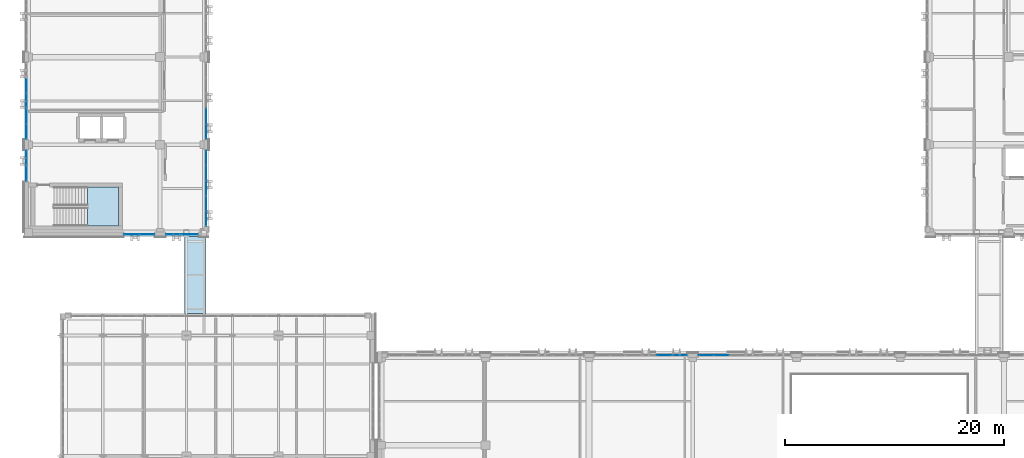
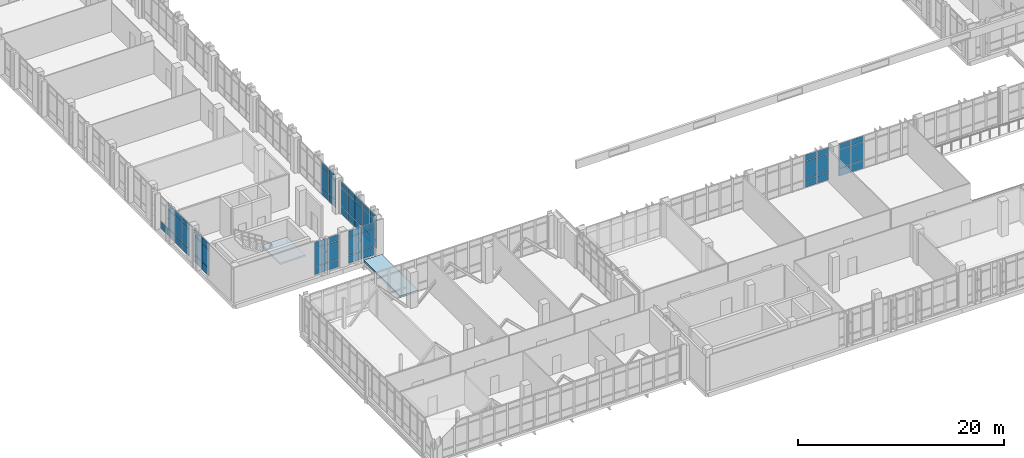
# One storey, part 114 of 158: 61 plates, 2 slabs, 9 elements without a shape of their own.
"""IFC4 building model written with IfcOpenShell, lengths in metres."""

import ifcopenshell
import ifcopenshell.guid

model = None  # the IFC model being written
_history = None  # IfcOwnerHistory: only IFC2X3 demands one
_inside = {}  # id of a spatial element -> (the spatial element, [elements in it])
_under = {}  # id of a project, library or spatial element -> (it, [spatial elements below it])
_declared = {}  # id of a project -> (the project, [libraries it declares])
_typed = {}  # id of a type object -> (the type object, [elements of that type])
_made_of = {}  # id of a material, layer set ... -> (it, [elements and type objects made of it])


def new_model(schema):
    """Start an empty IFC model of exactly this schema.

    Asked for "IFC4X3", IfcOpenShell would pick the latest addendum, in which some entities
    have other attributes; the version numbers below select the first issue.
    IFC2X3 requires an IfcOwnerHistory on every rooted entity: one is made here for all.
    """
    global model, _history
    if schema == "IFC4X3":
        model = ifcopenshell.file(schema_version=(4, 3, 0, 0))
    else:
        model = ifcopenshell.file(schema=schema)
    _inside.clear()
    _under.clear()
    _declared.clear()
    _typed.clear()
    _made_of.clear()
    _history = None
    if model.schema == "IFC2X3":
        org = make("IfcOrganization", Name="unknown")
        user = make(
            "IfcPersonAndOrganization",
            ThePerson=make("IfcPerson", FamilyName="unknown"),
            TheOrganization=org,
        )
        app = make(
            "IfcApplication",
            ApplicationDeveloper=org,
            Version="unknown",
            ApplicationFullName="unknown",
            ApplicationIdentifier="unknown",
        )
        _history = make(
            "IfcOwnerHistory",
            OwningUser=user,
            OwningApplication=app,
            ChangeAction="ADDED",
            CreationDate=0,
        )
    return model


def make(cls, **values):
    """One entity of the class cls with the attributes given. An attribute that is None is left unset."""
    return model.create_entity(
        cls, **{name: value for name, value in values.items() if value is not None}
    )


def rooted(cls, **values):
    """An entity with a GlobalId (a new one), such as an element, a storey or a relation."""
    return make(cls, GlobalId=ifcopenshell.guid.new(), OwnerHistory=_history, **values)


def si_unit(unit_type, name, prefix=None):
    """IfcSIUnit, for example si_unit("LENGTHUNIT", "METRE", prefix="MILLI")."""
    return make("IfcSIUnit", UnitType=unit_type, Prefix=prefix, Name=name)


def assignment(units):
    """IfcUnitAssignment: the units of a project."""
    return None if units is None else make("IfcUnitAssignment", Units=units)


def point(xyz):
    """IfcCartesianPoint."""
    return None if xyz is None else make("IfcCartesianPoint", Coordinates=xyz)


def direction(xyz):
    """IfcDirection."""
    return None if xyz is None else make("IfcDirection", DirectionRatios=xyz)


def frame(location, z_axis=None, x_axis=None):
    """IfcAxis2Placement3D, a coordinate frame: its origin and axes. An axis left out is left unset."""
    return make(
        "IfcAxis2Placement3D",
        Location=point(location),
        Axis=direction(z_axis),
        RefDirection=direction(x_axis),
    )


def frame_2d(location, x_axis=None):
    """IfcAxis2Placement2D, a coordinate frame in the plane: its origin and x axis."""
    return make(
        "IfcAxis2Placement2D", Location=point(location), RefDirection=direction(x_axis)
    )


def origin():
    """The frame at (0, 0, 0) with its axes left unset."""
    return frame((0.0, 0.0, 0.0))


def origin_2d():
    """The frame at (0, 0) in the plane with its x axis left unset."""
    return frame_2d((0.0, 0.0))


def place(relative_to, where):
    """IfcLocalPlacement: puts the frame where relative to a parent placement (None: the world)."""
    return make(
        "IfcLocalPlacement", PlacementRelTo=relative_to, RelativePlacement=where
    )


def context(
    kind, dimensions, precision=None, world=None, true_north=None, identifier=None
):
    """IfcGeometricRepresentationContext, for example the 3D "Model" context."""
    return make(
        "IfcGeometricRepresentationContext",
        ContextIdentifier=identifier,
        ContextType=kind,
        CoordinateSpaceDimension=dimensions,
        Precision=precision,
        WorldCoordinateSystem=world,
        TrueNorth=true_north,
    )


def subcontext(parent, identifier, kind, view, scale=None):
    """IfcGeometricRepresentationSubContext, for example "Body" below "Model"."""
    return make(
        "IfcGeometricRepresentationSubContext",
        ContextIdentifier=identifier,
        ContextType=kind,
        ParentContext=parent,
        TargetScale=scale,
        TargetView=view,
    )


def project(units=None, contexts=None):
    """IfcProject with its units and contexts."""
    return rooted(
        "IfcProject",
        Name="project",
        RepresentationContexts=contexts,
        UnitsInContext=assignment(units),
    )


def spatial(cls, under=None, at=None, **own):
    """A site, building, storey or space (cls), placed at a placement, below another one or the project."""
    s = rooted(cls, ObjectPlacement=at, **own)
    if under is not None:
        _under.setdefault(under.id(), (under, []))[1].append(s)
    return s


def polyline(points):
    """IfcPolyline through the points."""
    return make("IfcPolyline", Points=[point(p) for p in points])


def profile(cls, at=None, kind="AREA", **sizes):
    """A parametric profile (cls). Its sizes go by their IFC names, for example OverallWidth=200.0."""
    return make(cls, ProfileType=kind, Position=at, **sizes)


def rectangle(**sizes):
    """IfcRectangleProfileDef."""
    return profile("IfcRectangleProfileDef", **sizes)


def outline(outer, holes=None, kind="AREA"):
    """IfcArbitraryClosedProfileDef: a profile drawn as a closed curve; with holes, ...WithVoids."""
    if holes is None:
        return make("IfcArbitraryClosedProfileDef", ProfileType=kind, OuterCurve=outer)
    return make(
        "IfcArbitraryProfileDefWithVoids",
        ProfileType=kind,
        OuterCurve=outer,
        InnerCurves=holes,
    )


def extrude(swept, where, along, depth):
    """IfcExtrudedAreaSolid: the profile swept, set in the frame where, extruded along a direction by depth."""
    return make(
        "IfcExtrudedAreaSolid",
        SweptArea=swept,
        Position=where,
        ExtrudedDirection=direction(along),
        Depth=depth,
    )


def shape(context_of_items, identifier, shape_type, items):
    """IfcShapeRepresentation: the items that make up one representation, for example the "Body"."""
    return make(
        "IfcShapeRepresentation",
        ContextOfItems=context_of_items,
        RepresentationIdentifier=identifier,
        RepresentationType=shape_type,
        Items=items,
    )


def material(Name=None, Category=None):
    """IfcMaterial."""
    return make("IfcMaterial", Name=Name, Category=Category)


def layer(
    of_material, thickness, ventilated=None, Name=None, Category=None, Priority=None
):
    """IfcMaterialLayer: one layer of a wall or slab, of a material (None: an air gap)."""
    return make(
        "IfcMaterialLayer",
        Material=of_material,
        LayerThickness=thickness,
        IsVentilated=ventilated,
        Name=Name,
        Category=Category,
        Priority=Priority,
    )


def layer_set(layers, Name=None):
    """IfcMaterialLayerSet."""
    return make("IfcMaterialLayerSet", MaterialLayers=layers, LayerSetName=Name)


def made_of(thing, what):
    """Note that an element or type object is made of a material, layer set ...; save() writes the relation."""
    if what is not None:
        _made_of.setdefault(what.id(), (what, []))[1].append(thing)
    return thing


def type_object(cls, material=None, **own):
    """A type object (cls), such as IfcWallType, which elements share."""
    return made_of(rooted(cls, **own), material)


def element(
    cls,
    number,
    at=None,
    inside=None,
    cuts=None,
    type_object=None,
    material=None,
    context=None,
    identifier="Body",
    shape_type=None,
    held_by="IfcProductDefinitionShape",
    body=None,
    shapes=None,
    **own,
):
    """One element of the class cls, such as IfcWall. Its Tag is "e" and its number.

    at: its placement. inside: the storey or other place that contains it. cuts: it is an
    opening in that element (IfcRelVoidsElement). A single representation is given by context,
    identifier, shape_type and body (its items); several are given by shapes. held_by: the class
    of the entity that holds the representations. save() writes the other relations.
    """
    e = rooted(cls, Tag="e%d" % number, ObjectPlacement=at, **own)
    if body is not None:
        shapes = [shape(context, identifier, shape_type, body)]
    if shapes is not None:
        e.Representation = make(held_by, Representations=shapes)
    if inside is not None:
        _inside.setdefault(inside.id(), (inside, []))[1].append(e)
    if cuts is not None:
        rooted(
            "IfcRelVoidsElement", RelatingBuildingElement=cuts, RelatedOpeningElement=e
        )
    if type_object is not None:
        _typed.setdefault(type_object.id(), (type_object, []))[1].append(e)
    return made_of(e, material)


def aggregate(whole, parts):
    """IfcRelAggregates: a whole, such as a stair, and the parts it consists of."""
    return rooted("IfcRelAggregates", RelatingObject=whole, RelatedObjects=parts)


def save(model, path):
    """Write the relations noted so far, then the file.

    IfcRelAggregates (storeys below a building ...), IfcRelContainedInSpatialStructure (elements
    in a storey), IfcRelDefinesByType, IfcRelAssociatesMaterial and IfcRelDeclares: one each for
    every whole, place, type object, material and project.
    """
    for whole, parts in _under.values():
        aggregate(whole, parts)
    for where, things in _inside.values():
        rooted(
            "IfcRelContainedInSpatialStructure",
            RelatedElements=things,
            RelatingStructure=where,
        )
    for kind, things in _typed.values():
        rooted("IfcRelDefinesByType", RelatedObjects=things, RelatingType=kind)
    for what, things in _made_of.values():
        rooted("IfcRelAssociatesMaterial", RelatedObjects=things, RelatingMaterial=what)
    for by, libraries in _declared.values():
        rooted("IfcRelDeclares", RelatingContext=by, RelatedDefinitions=libraries)
    model.write(path)


model = new_model("IFC4")

# Units and contexts
model_context = context("Model", 3, precision=1e-05, world=origin(), true_north=direction((0.0, 1.0)))
body_context = subcontext(model_context, "Body", "Model", "MODEL_VIEW")
ifc_project = project(units=[si_unit("LENGTHUNIT", "METRE"), si_unit("AREAUNIT", "SQUARE_METRE"), si_unit("VOLUMEUNIT", "CUBIC_METRE"), si_unit("PLANEANGLEUNIT", "RADIAN"), si_unit("MASSUNIT", "GRAM", prefix="KILO")], contexts=[model_context])

# Site, building, storey
site_placement = place(None, origin())
site = spatial("IfcSite", under=ifc_project, at=site_placement, CompositionType="ELEMENT")
building_placement = place(site_placement, origin())
building = spatial("IfcBuilding", under=site, at=building_placement, Name="Qalavern Law Courts", CompositionType="ELEMENT")
storey_placement = place(building_placement, frame((0.0, 0.0, 18.60009765625)))
storey = spatial("IfcBuildingStorey", under=building, at=storey_placement, Name="L04", CompositionType="ELEMENT", Elevation=18.60009765625)

# Curtain wall, plates
ifc_material_1 = material(Name="Anodised aluminium and insulated glazing", Category="aluminium")
ifc_layer_1 = layer(ifc_material_1, 0.159912109375)
ifc_layer_set_1 = layer_set([ifc_layer_1], Name="Anodised aluminium and insulated glazing")
curtain_wall_type_1 = type_object("IfcCurtainWallType", Name="ENV-CW-CHAMB", PredefinedType="USERDEFINED", material=ifc_layer_set_1)
curtain_wall_1_placement = place(storey_placement, origin())
curtain_wall_1 = element("IfcCurtainWall", 1, at=curtain_wall_1_placement, inside=storey, type_object=curtain_wall_type_1, Name="V3 unitised curtain wall L04 south 1", ObjectType="UNITISED CURTAIN WALL", PredefinedType="USERDEFINED")
ifc_material_2 = material(Name="Insulated low-E acoustic glazing", Category="glass")
ifc_layer_2 = layer(ifc_material_2, 0.02392578125)
ifc_layer_set_2 = layer_set([ifc_layer_2], Name="Insulated low-E acoustic glazing")
plate_type_1 = type_object("IfcPlateType", Name="ENV-CWP-24", PredefinedType="CURTAIN_PANEL", material=ifc_layer_set_2)
plate_1_placement = place(storey_placement, frame((11.81201171875, 41.219970703125, 0.0478515625), z_axis=(0.0, 0.0, 1.0), x_axis=(1.0, 0.0, 0.0)))
plate_1 = element("IfcPlate", 2, at=plate_1_placement, type_object=plate_type_1, Name="CW-04 panel 1.1", PredefinedType="CURTAIN_PANEL", context=body_context, shape_type="SweptSolid", body=[
    extrude(rectangle(XDim=1.327880859375, YDim=0.02392578125, at=origin_2d()), origin(), (0.0, 0.0, 1.0), 0.8779296875),
])
plate_2_placement = place(storey_placement, frame((11.81201171875, 41.219970703125, 0.97412109375), z_axis=(0.0, 0.0, 1.0), x_axis=(1.0, 0.0, 0.0)))
plate_2 = element("IfcPlate", 3, at=plate_2_placement, type_object=plate_type_1, Name="CW-04 panel 1.2", PredefinedType="CURTAIN_PANEL", context=body_context, shape_type="SweptSolid", body=[
    extrude(rectangle(XDim=1.327880859375, YDim=0.02392578125, at=origin_2d()), origin(), (0.0, 0.0, 1.0), 2.177001953125),
])
plate_3_placement = place(storey_placement, frame((11.81201171875, 41.219970703125, 3.19873046875), z_axis=(0.0, 0.0, 1.0), x_axis=(1.0, 0.0, 0.0)))
plate_3 = element("IfcPlate", 4, at=plate_3_placement, type_object=plate_type_1, Name="CW-04 panel 1.3", PredefinedType="CURTAIN_PANEL", context=body_context, shape_type="SweptSolid", body=[
    extrude(rectangle(XDim=1.327880859375, YDim=0.02392578125, at=origin_2d()), origin(), (0.0, 0.0, 1.0), 0.677978515625),
])
plate_4_placement = place(storey_placement, frame((13.18798828125, 41.219970703125, 0.0478515625), z_axis=(0.0, 0.0, 1.0), x_axis=(1.0, 0.0, 0.0)))
plate_4 = element("IfcPlate", 5, at=plate_4_placement, type_object=plate_type_1, Name="CW-04 panel 2.1", PredefinedType="CURTAIN_PANEL", context=body_context, shape_type="SweptSolid", body=[
    extrude(rectangle(XDim=1.327880859375, YDim=0.02392578125, at=origin_2d()), origin(), (0.0, 0.0, 1.0), 0.8779296875),
])
plate_5_placement = place(storey_placement, frame((13.18798828125, 41.219970703125, 0.97412109375), z_axis=(0.0, 0.0, 1.0), x_axis=(1.0, 0.0, 0.0)))
plate_5 = element("IfcPlate", 6, at=plate_5_placement, type_object=plate_type_1, Name="CW-04 panel 2.2", PredefinedType="CURTAIN_PANEL", context=body_context, shape_type="SweptSolid", body=[
    extrude(rectangle(XDim=1.327880859375, YDim=0.02392578125, at=origin_2d()), origin(), (0.0, 0.0, 1.0), 2.177001953125),
])
plate_6_placement = place(storey_placement, frame((13.18798828125, 41.219970703125, 3.19873046875), z_axis=(0.0, 0.0, 1.0), x_axis=(1.0, 0.0, 0.0)))
plate_6 = element("IfcPlate", 7, at=plate_6_placement, type_object=plate_type_1, Name="CW-04 panel 2.3", PredefinedType="CURTAIN_PANEL", context=body_context, shape_type="SweptSolid", body=[
    extrude(rectangle(XDim=1.327880859375, YDim=0.02392578125, at=origin_2d()), origin(), (0.0, 0.0, 1.0), 0.677978515625),
])
aggregate(curtain_wall_1, [plate_1, plate_2, plate_3, plate_4, plate_5, plate_6])

curtain_wall_2_placement = place(storey_placement, origin())
curtain_wall_2 = element("IfcCurtainWall", 8, at=curtain_wall_2_placement, inside=storey, type_object=curtain_wall_type_1, Name="V3 unitised curtain wall L04 east 1", ObjectType="UNITISED CURTAIN WALL", PredefinedType="USERDEFINED")
plate_7_placement = place(storey_placement, frame((18.60009765625, 42.67041015625, 0.0478515625), z_axis=(0.0, 0.0, 1.0), x_axis=(0.0, 1.0, 0.0)))
plate_7 = element("IfcPlate", 9, at=plate_7_placement, type_object=plate_type_1, Name="CW-04 panel 1.1", PredefinedType="CURTAIN_PANEL", context=body_context, shape_type="SweptSolid", body=[
    extrude(rectangle(XDim=1.31494140625, YDim=0.02392578125, at=origin_2d()), origin(), (0.0, 0.0, 1.0), 0.8779296875),
])
plate_8_placement = place(storey_placement, frame((18.60009765625, 42.67041015625, 0.97412109375), z_axis=(0.0, 0.0, 1.0), x_axis=(0.0, 1.0, 0.0)))
plate_8 = element("IfcPlate", 10, at=plate_8_placement, type_object=plate_type_1, Name="CW-04 panel 1.2", PredefinedType="CURTAIN_PANEL", context=body_context, shape_type="SweptSolid", body=[
    extrude(rectangle(XDim=1.31494140625, YDim=0.02392578125, at=origin_2d()), origin(), (0.0, 0.0, 1.0), 2.177001953125),
])
plate_9_placement = place(storey_placement, frame((18.60009765625, 42.67041015625, 3.19873046875), z_axis=(0.0, 0.0, 1.0), x_axis=(0.0, 1.0, 0.0)))
plate_9 = element("IfcPlate", 11, at=plate_9_placement, type_object=plate_type_1, Name="CW-04 panel 1.3", PredefinedType="CURTAIN_PANEL", context=body_context, shape_type="SweptSolid", body=[
    extrude(rectangle(XDim=1.31494140625, YDim=0.02392578125, at=origin_2d()), origin(), (0.0, 0.0, 1.0), 0.677978515625),
])
plate_10_placement = place(storey_placement, frame((18.60009765625, 44.04541015625, 0.0478515625), z_axis=(0.0, 0.0, 1.0), x_axis=(0.0, 1.0, 0.0)))
plate_10 = element("IfcPlate", 12, at=plate_10_placement, type_object=plate_type_1, Name="CW-04 panel 2.1", PredefinedType="CURTAIN_PANEL", context=body_context, shape_type="SweptSolid", body=[
    extrude(rectangle(XDim=1.339111328125, YDim=0.02392578125, at=origin_2d()), origin(), (0.0, 0.0, 1.0), 0.8779296875),
])
plate_11_placement = place(storey_placement, frame((18.60009765625, 44.04541015625, 0.97412109375), z_axis=(0.0, 0.0, 1.0), x_axis=(0.0, 1.0, 0.0)))
plate_11 = element("IfcPlate", 13, at=plate_11_placement, type_object=plate_type_1, Name="CW-04 panel 2.2", PredefinedType="CURTAIN_PANEL", context=body_context, shape_type="SweptSolid", body=[
    extrude(rectangle(XDim=1.339111328125, YDim=0.02392578125, at=origin_2d()), origin(), (0.0, 0.0, 1.0), 2.177001953125),
])
plate_12_placement = place(storey_placement, frame((18.60009765625, 44.04541015625, 3.19873046875), z_axis=(0.0, 0.0, 1.0), x_axis=(0.0, 1.0, 0.0)))
plate_12 = element("IfcPlate", 14, at=plate_12_placement, type_object=plate_type_1, Name="CW-04 panel 2.3", PredefinedType="CURTAIN_PANEL", context=body_context, shape_type="SweptSolid", body=[
    extrude(rectangle(XDim=1.339111328125, YDim=0.02392578125, at=origin_2d()), origin(), (0.0, 0.0, 1.0), 0.677978515625),
])
plate_13_placement = place(storey_placement, frame((18.60009765625, 45.4326171875, 0.0478515625), z_axis=(0.0, 0.0, 1.0), x_axis=(0.0, 1.0, 0.0)))
plate_13 = element("IfcPlate", 15, at=plate_13_placement, type_object=plate_type_1, Name="CW-04 panel 3.1", PredefinedType="CURTAIN_PANEL", context=body_context, shape_type="SweptSolid", body=[
    extrude(rectangle(XDim=1.339111328125, YDim=0.02392578125, at=origin_2d()), origin(), (0.0, 0.0, 1.0), 0.8779296875),
])
plate_14_placement = place(storey_placement, frame((18.60009765625, 45.4326171875, 0.97412109375), z_axis=(0.0, 0.0, 1.0), x_axis=(0.0, 1.0, 0.0)))
plate_14 = element("IfcPlate", 16, at=plate_14_placement, type_object=plate_type_1, Name="CW-04 panel 3.2", PredefinedType="CURTAIN_PANEL", context=body_context, shape_type="SweptSolid", body=[
    extrude(rectangle(XDim=1.339111328125, YDim=0.02392578125, at=origin_2d()), origin(), (0.0, 0.0, 1.0), 2.177001953125),
])
plate_15_placement = place(storey_placement, frame((18.60009765625, 45.4326171875, 3.19873046875), z_axis=(0.0, 0.0, 1.0), x_axis=(0.0, 1.0, 0.0)))
plate_15 = element("IfcPlate", 17, at=plate_15_placement, type_object=plate_type_1, Name="CW-04 panel 3.3", PredefinedType="CURTAIN_PANEL", context=body_context, shape_type="SweptSolid", body=[
    extrude(rectangle(XDim=1.339111328125, YDim=0.02392578125, at=origin_2d()), origin(), (0.0, 0.0, 1.0), 0.677978515625),
])
plate_16_placement = place(storey_placement, frame((18.60009765625, 46.819580078125, 0.0478515625), z_axis=(0.0, 0.0, 1.0), x_axis=(0.0, 1.0, 0.0)))
plate_16 = element("IfcPlate", 18, at=plate_16_placement, type_object=plate_type_1, Name="CW-04 panel 4.1", PredefinedType="CURTAIN_PANEL", context=body_context, shape_type="SweptSolid", body=[
    extrude(rectangle(XDim=1.339111328125, YDim=0.02392578125, at=origin_2d()), origin(), (0.0, 0.0, 1.0), 0.8779296875),
])
plate_17_placement = place(storey_placement, frame((18.60009765625, 46.819580078125, 0.97412109375), z_axis=(0.0, 0.0, 1.0), x_axis=(0.0, 1.0, 0.0)))
plate_17 = element("IfcPlate", 19, at=plate_17_placement, type_object=plate_type_1, Name="CW-04 panel 4.2", PredefinedType="CURTAIN_PANEL", context=body_context, shape_type="SweptSolid", body=[
    extrude(rectangle(XDim=1.339111328125, YDim=0.02392578125, at=origin_2d()), origin(), (0.0, 0.0, 1.0), 2.177001953125),
])
plate_18_placement = place(storey_placement, frame((18.60009765625, 46.819580078125, 3.19873046875), z_axis=(0.0, 0.0, 1.0), x_axis=(0.0, 1.0, 0.0)))
plate_18 = element("IfcPlate", 20, at=plate_18_placement, type_object=plate_type_1, Name="CW-04 panel 4.3", PredefinedType="CURTAIN_PANEL", context=body_context, shape_type="SweptSolid", body=[
    extrude(rectangle(XDim=1.339111328125, YDim=0.02392578125, at=origin_2d()), origin(), (0.0, 0.0, 1.0), 0.677978515625),
])
plate_19_placement = place(storey_placement, frame((18.60009765625, 48.194580078125, 0.0478515625), z_axis=(0.0, 0.0, 1.0), x_axis=(0.0, 1.0, 0.0)))
plate_19 = element("IfcPlate", 21, at=plate_19_placement, type_object=plate_type_1, Name="CW-04 panel 5.1", PredefinedType="CURTAIN_PANEL", context=body_context, shape_type="SweptSolid", body=[
    extrude(rectangle(XDim=1.31494140625, YDim=0.02392578125, at=origin_2d()), origin(), (0.0, 0.0, 1.0), 0.8779296875),
])
plate_20_placement = place(storey_placement, frame((18.60009765625, 48.194580078125, 0.97412109375), z_axis=(0.0, 0.0, 1.0), x_axis=(0.0, 1.0, 0.0)))
plate_20 = element("IfcPlate", 22, at=plate_20_placement, type_object=plate_type_1, Name="CW-04 panel 5.2", PredefinedType="CURTAIN_PANEL", context=body_context, shape_type="SweptSolid", body=[
    extrude(rectangle(XDim=1.31494140625, YDim=0.02392578125, at=origin_2d()), origin(), (0.0, 0.0, 1.0), 2.177001953125),
])
plate_21_placement = place(storey_placement, frame((18.60009765625, 48.194580078125, 3.19873046875), z_axis=(0.0, 0.0, 1.0), x_axis=(0.0, 1.0, 0.0)))
plate_21 = element("IfcPlate", 23, at=plate_21_placement, type_object=plate_type_1, Name="CW-04 panel 5.3", PredefinedType="CURTAIN_PANEL", context=body_context, shape_type="SweptSolid", body=[
    extrude(rectangle(XDim=1.31494140625, YDim=0.02392578125, at=origin_2d()), origin(), (0.0, 0.0, 1.0), 0.677978515625),
])
aggregate(curtain_wall_2, [plate_7, plate_8, plate_9, plate_10, plate_11, plate_12, plate_13, plate_14, plate_15, plate_16, plate_17, plate_18, plate_19, plate_20, plate_21])

curtain_wall_3_placement = place(storey_placement, origin())
curtain_wall_3 = element("IfcCurtainWall", 24, at=curtain_wall_3_placement, inside=storey, type_object=curtain_wall_type_1, Name="V3 unitised curtain wall L04 south 2", ObjectType="UNITISED CURTAIN WALL", PredefinedType="USERDEFINED")
ifc_layer_3 = layer(ifc_material_2, 0.028076171875)
ifc_layer_set_3 = layer_set([ifc_layer_3], Name="Insulated low-E acoustic glazing")
plate_type_2 = type_object("IfcPlateType", Name="ENV-CWP-28", PredefinedType="CURTAIN_PANEL", material=ifc_layer_set_3)
plate_22_placement = place(storey_placement, frame((15.662109375, 41.219970703125, 0.0478515625), z_axis=(0.0, 0.0, 1.0), x_axis=(1.0, 0.0, 0.0)))
plate_22 = element("IfcPlate", 25, at=plate_22_placement, type_object=plate_type_2, Name="CW-04 panel 1.1", PredefinedType="CURTAIN_PANEL", context=body_context, shape_type="SweptSolid", body=[
    extrude(rectangle(XDim=1.427978515625, YDim=0.028076171875, at=origin_2d()), origin(), (0.0, 0.0, 1.0), 0.8779296875),
])
plate_23_placement = place(storey_placement, frame((15.662109375, 41.219970703125, 0.97412109375), z_axis=(0.0, 0.0, 1.0), x_axis=(1.0, 0.0, 0.0)))
plate_23 = element("IfcPlate", 26, at=plate_23_placement, type_object=plate_type_2, Name="CW-04 panel 1.2", PredefinedType="CURTAIN_PANEL", context=body_context, shape_type="SweptSolid", body=[
    extrude(rectangle(XDim=1.427978515625, YDim=0.028076171875, at=origin_2d()), origin(), (0.0, 0.0, 1.0), 2.177001953125),
])
plate_24_placement = place(storey_placement, frame((15.662109375, 41.219970703125, 3.19873046875), z_axis=(0.0, 0.0, 1.0), x_axis=(1.0, 0.0, 0.0)))
plate_24 = element("IfcPlate", 27, at=plate_24_placement, type_object=plate_type_2, Name="CW-04 panel 1.3", PredefinedType="CURTAIN_PANEL", context=body_context, shape_type="SweptSolid", body=[
    extrude(rectangle(XDim=1.427978515625, YDim=0.028076171875, at=origin_2d()), origin(), (0.0, 0.0, 1.0), 0.677978515625),
])
plate_25_placement = place(storey_placement, frame((17.137939453125, 41.219970703125, 0.0478515625), z_axis=(0.0, 0.0, 1.0), x_axis=(1.0, 0.0, 0.0)))
plate_25 = element("IfcPlate", 28, at=plate_25_placement, type_object=plate_type_2, Name="CW-04 panel 2.1", PredefinedType="CURTAIN_PANEL", context=body_context, shape_type="SweptSolid", body=[
    extrude(rectangle(XDim=1.427978515625, YDim=0.028076171875, at=origin_2d()), origin(), (0.0, 0.0, 1.0), 0.8779296875),
])
plate_26_placement = place(storey_placement, frame((17.137939453125, 41.219970703125, 0.97412109375), z_axis=(0.0, 0.0, 1.0), x_axis=(1.0, 0.0, 0.0)))
plate_26 = element("IfcPlate", 29, at=plate_26_placement, type_object=plate_type_2, Name="CW-04 panel 2.2", PredefinedType="CURTAIN_PANEL", context=body_context, shape_type="SweptSolid", body=[
    extrude(rectangle(XDim=1.427978515625, YDim=0.028076171875, at=origin_2d()), origin(), (0.0, 0.0, 1.0), 2.177001953125),
])
plate_27_placement = place(storey_placement, frame((17.137939453125, 41.219970703125, 3.19873046875), z_axis=(0.0, 0.0, 1.0), x_axis=(1.0, 0.0, 0.0)))
plate_27 = element("IfcPlate", 30, at=plate_27_placement, type_object=plate_type_2, Name="CW-04 panel 2.3", PredefinedType="CURTAIN_PANEL", context=body_context, shape_type="SweptSolid", body=[
    extrude(rectangle(XDim=1.427978515625, YDim=0.028076171875, at=origin_2d()), origin(), (0.0, 0.0, 1.0), 0.677978515625),
])
aggregate(curtain_wall_3, [plate_22, plate_23, plate_24, plate_25, plate_26, plate_27])

curtain_wall_4_placement = place(storey_placement, origin())
curtain_wall_4 = element("IfcCurtainWall", 31, at=curtain_wall_4_placement, inside=storey, type_object=curtain_wall_type_1, Name="V3 unitised curtain wall L04 east 2", ObjectType="UNITISED CURTAIN WALL", PredefinedType="USERDEFINED")
plate_28_placement = place(storey_placement, frame((18.60009765625, 50.612060546875, 0.0478515625), z_axis=(0.0, 0.0, 1.0), x_axis=(0.0, 1.0, 0.0)))
plate_28 = element("IfcPlate", 32, at=plate_28_placement, type_object=plate_type_2, Name="CW-04 panel 1.1", PredefinedType="CURTAIN_PANEL", context=body_context, shape_type="SweptSolid", body=[
    extrude(rectangle(XDim=1.327880859375, YDim=0.028076171875, at=origin_2d()), origin(), (0.0, 0.0, 1.0), 0.8779296875),
])
plate_29_placement = place(storey_placement, frame((18.60009765625, 50.612060546875, 0.97412109375), z_axis=(0.0, 0.0, 1.0), x_axis=(0.0, 1.0, 0.0)))
plate_29 = element("IfcPlate", 33, at=plate_29_placement, type_object=plate_type_2, Name="CW-04 panel 1.2", PredefinedType="CURTAIN_PANEL", context=body_context, shape_type="SweptSolid", body=[
    extrude(rectangle(XDim=1.327880859375, YDim=0.028076171875, at=origin_2d()), origin(), (0.0, 0.0, 1.0), 2.177001953125),
])
plate_30_placement = place(storey_placement, frame((18.60009765625, 50.612060546875, 3.19873046875), z_axis=(0.0, 0.0, 1.0), x_axis=(0.0, 1.0, 0.0)))
plate_30 = element("IfcPlate", 34, at=plate_30_placement, type_object=plate_type_2, Name="CW-04 panel 1.3", PredefinedType="CURTAIN_PANEL", context=body_context, shape_type="SweptSolid", body=[
    extrude(rectangle(XDim=1.327880859375, YDim=0.028076171875, at=origin_2d()), origin(), (0.0, 0.0, 1.0), 0.677978515625),
])
plate_31_placement = place(storey_placement, frame((18.60009765625, 52.0, 0.0478515625), z_axis=(0.0, 0.0, 1.0), x_axis=(0.0, 1.0, 0.0)))
plate_31 = element("IfcPlate", 35, at=plate_31_placement, type_object=plate_type_2, Name="CW-04 panel 2.1", PredefinedType="CURTAIN_PANEL", context=body_context, shape_type="SweptSolid", body=[
    extrude(rectangle(XDim=1.35205078125, YDim=0.028076171875, at=origin_2d()), origin(), (0.0, 0.0, 1.0), 0.8779296875),
])
plate_32_placement = place(storey_placement, frame((18.60009765625, 52.0, 0.97412109375), z_axis=(0.0, 0.0, 1.0), x_axis=(0.0, 1.0, 0.0)))
plate_32 = element("IfcPlate", 36, at=plate_32_placement, type_object=plate_type_2, Name="CW-04 panel 2.2", PredefinedType="CURTAIN_PANEL", context=body_context, shape_type="SweptSolid", body=[
    extrude(rectangle(XDim=1.35205078125, YDim=0.028076171875, at=origin_2d()), origin(), (0.0, 0.0, 1.0), 2.177001953125),
])
plate_33_placement = place(storey_placement, frame((18.60009765625, 52.0, 3.19873046875), z_axis=(0.0, 0.0, 1.0), x_axis=(0.0, 1.0, 0.0)))
plate_33 = element("IfcPlate", 37, at=plate_33_placement, type_object=plate_type_2, Name="CW-04 panel 2.3", PredefinedType="CURTAIN_PANEL", context=body_context, shape_type="SweptSolid", body=[
    extrude(rectangle(XDim=1.35205078125, YDim=0.028076171875, at=origin_2d()), origin(), (0.0, 0.0, 1.0), 0.677978515625),
])
aggregate(curtain_wall_4, [plate_28, plate_29, plate_30, plate_31, plate_32, plate_33])

ifc_layer_4 = layer(ifc_material_1, 0.18505859375)
ifc_layer_set_4 = layer_set([ifc_layer_4], Name="Anodised aluminium and insulated glazing")
curtain_wall_type_2 = type_object("IfcCurtainWallType", Name="ENV-CW-HALL", PredefinedType="USERDEFINED", material=ifc_layer_set_4)
curtain_wall_5_placement = place(storey_placement, origin())
curtain_wall_5 = element("IfcCurtainWall", 38, at=curtain_wall_5_placement, inside=storey, type_object=curtain_wall_type_2, Name="V2 unitised curtain wall L04 north 4", ObjectType="UNITISED CURTAIN WALL", PredefinedType="USERDEFINED")
ifc_layer_5 = layer(ifc_material_2, 0.035888671875)
ifc_layer_set_5 = layer_set([ifc_layer_5], Name="Insulated low-E acoustic glazing")
plate_type_3 = type_object("IfcPlateType", Name="ENV-CWP-36", PredefinedType="CURTAIN_PANEL", material=ifc_layer_set_5)
plate_34_placement = place(storey_placement, frame((65.596435546875, 30.199951171875, 0.0478515625), z_axis=(0.0, 0.0, 1.0), x_axis=(-1.0, 0.0, 0.0)))
plate_34 = element("IfcPlate", 39, at=plate_34_placement, type_object=plate_type_3, Name="CW-02 panel 5.1", PredefinedType="CURTAIN_PANEL", context=body_context, shape_type="SweptSolid", body=[
    extrude(rectangle(XDim=1.361083984375, YDim=0.035888671875, at=origin_2d()), origin(), (0.0, 0.0, 1.0), 0.8779296875),
])
plate_35_placement = place(storey_placement, frame((65.596435546875, 30.199951171875, 0.97412109375), z_axis=(0.0, 0.0, 1.0), x_axis=(-1.0, 0.0, 0.0)))
plate_35 = element("IfcPlate", 40, at=plate_35_placement, type_object=plate_type_3, Name="CW-02 panel 5.2", PredefinedType="CURTAIN_PANEL", context=body_context, shape_type="SweptSolid", body=[
    extrude(rectangle(XDim=1.361083984375, YDim=0.035888671875, at=origin_2d()), origin(), (0.0, 0.0, 1.0), 2.177001953125),
])
plate_36_placement = place(storey_placement, frame((65.596435546875, 30.199951171875, 3.19873046875), z_axis=(0.0, 0.0, 1.0), x_axis=(-1.0, 0.0, 0.0)))
plate_36 = element("IfcPlate", 41, at=plate_36_placement, type_object=plate_type_3, Name="CW-02 panel 5.3", PredefinedType="CURTAIN_PANEL", context=body_context, shape_type="SweptSolid", body=[
    extrude(rectangle(XDim=1.361083984375, YDim=0.035888671875, at=origin_2d()), origin(), (0.0, 0.0, 1.0), 0.677978515625),
])
plate_37_placement = place(storey_placement, frame((64.199462890625, 30.199951171875, 0.0478515625), z_axis=(0.0, 0.0, 1.0), x_axis=(-1.0, 0.0, 0.0)))
plate_37 = element("IfcPlate", 42, at=plate_37_placement, type_object=plate_type_3, Name="CW-02 panel 6.1", PredefinedType="CURTAIN_PANEL", context=body_context, shape_type="SweptSolid", body=[
    extrude(rectangle(XDim=1.3369140625, YDim=0.035888671875, at=origin_2d()), origin(), (0.0, 0.0, 1.0), 0.8779296875),
])
plate_38_placement = place(storey_placement, frame((64.199462890625, 30.199951171875, 0.97412109375), z_axis=(0.0, 0.0, 1.0), x_axis=(-1.0, 0.0, 0.0)))
plate_38 = element("IfcPlate", 43, at=plate_38_placement, type_object=plate_type_3, Name="CW-02 panel 6.2", PredefinedType="CURTAIN_PANEL", context=body_context, shape_type="SweptSolid", body=[
    extrude(rectangle(XDim=1.3369140625, YDim=0.035888671875, at=origin_2d()), origin(), (0.0, 0.0, 1.0), 2.177001953125),
])
plate_39_placement = place(storey_placement, frame((64.199462890625, 30.199951171875, 3.19873046875), z_axis=(0.0, 0.0, 1.0), x_axis=(-1.0, 0.0, 0.0)))
plate_39 = element("IfcPlate", 44, at=plate_39_placement, type_object=plate_type_3, Name="CW-02 panel 6.3", PredefinedType="CURTAIN_PANEL", context=body_context, shape_type="SweptSolid", body=[
    extrude(rectangle(XDim=1.3369140625, YDim=0.035888671875, at=origin_2d()), origin(), (0.0, 0.0, 1.0), 0.677978515625),
])
aggregate(curtain_wall_5, [plate_34, plate_35, plate_36, plate_37, plate_38, plate_39])

curtain_wall_6_placement = place(storey_placement, origin())
curtain_wall_6 = element("IfcCurtainWall", 45, at=curtain_wall_6_placement, inside=storey, type_object=curtain_wall_type_2, Name="V2 unitised curtain wall L04 north 5", ObjectType="UNITISED CURTAIN WALL", PredefinedType="USERDEFINED")
ifc_layer_6 = layer(ifc_material_2, 0.0400390625)
ifc_layer_set_6 = layer_set([ifc_layer_6], Name="Insulated low-E acoustic glazing")
plate_type_4 = type_object("IfcPlateType", Name="ENV-CWP-40", PredefinedType="CURTAIN_PANEL", material=ifc_layer_set_6)
plate_40_placement = place(storey_placement, frame((61.766357421875, 30.199951171875, 0.0478515625), z_axis=(0.0, 0.0, 1.0), x_axis=(-1.0, 0.0, 0.0)))
plate_40 = element("IfcPlate", 46, at=plate_40_placement, type_object=plate_type_4, Name="CW-02 panel 1.1", PredefinedType="CURTAIN_PANEL", context=body_context, shape_type="SweptSolid", body=[
    extrude(rectangle(XDim=1.337158203125, YDim=0.0400390625, at=origin_2d()), origin(), (0.0, 0.0, 1.0), 0.8779296875),
])
plate_41_placement = place(storey_placement, frame((61.766357421875, 30.199951171875, 0.97412109375), z_axis=(0.0, 0.0, 1.0), x_axis=(-1.0, 0.0, 0.0)))
plate_41 = element("IfcPlate", 47, at=plate_41_placement, type_object=plate_type_4, Name="CW-02 panel 1.2", PredefinedType="CURTAIN_PANEL", context=body_context, shape_type="SweptSolid", body=[
    extrude(rectangle(XDim=1.337158203125, YDim=0.0400390625, at=origin_2d()), origin(), (0.0, 0.0, 1.0), 2.177001953125),
])
plate_42_placement = place(storey_placement, frame((61.766357421875, 30.199951171875, 3.19873046875), z_axis=(0.0, 0.0, 1.0), x_axis=(-1.0, 0.0, 0.0)))
plate_42 = element("IfcPlate", 48, at=plate_42_placement, type_object=plate_type_4, Name="CW-02 panel 1.3", PredefinedType="CURTAIN_PANEL", context=body_context, shape_type="SweptSolid", body=[
    extrude(rectangle(XDim=1.337158203125, YDim=0.0400390625, at=origin_2d()), origin(), (0.0, 0.0, 1.0), 0.677978515625),
])
plate_43_placement = place(storey_placement, frame((60.369384765625, 30.199951171875, 0.0478515625), z_axis=(0.0, 0.0, 1.0), x_axis=(-1.0, 0.0, 0.0)))
plate_43 = element("IfcPlate", 49, at=plate_43_placement, type_object=plate_type_4, Name="CW-02 panel 2.1", PredefinedType="CURTAIN_PANEL", context=body_context, shape_type="SweptSolid", body=[
    extrude(rectangle(XDim=1.361083984375, YDim=0.0400390625, at=origin_2d()), origin(), (0.0, 0.0, 1.0), 0.8779296875),
])
plate_44_placement = place(storey_placement, frame((60.369384765625, 30.199951171875, 0.97412109375), z_axis=(0.0, 0.0, 1.0), x_axis=(-1.0, 0.0, 0.0)))
plate_44 = element("IfcPlate", 50, at=plate_44_placement, type_object=plate_type_4, Name="CW-02 panel 2.2", PredefinedType="CURTAIN_PANEL", context=body_context, shape_type="SweptSolid", body=[
    extrude(rectangle(XDim=1.361083984375, YDim=0.0400390625, at=origin_2d()), origin(), (0.0, 0.0, 1.0), 2.177001953125),
])
plate_45_placement = place(storey_placement, frame((60.369384765625, 30.199951171875, 3.19873046875), z_axis=(0.0, 0.0, 1.0), x_axis=(-1.0, 0.0, 0.0)))
plate_45 = element("IfcPlate", 51, at=plate_45_placement, type_object=plate_type_4, Name="CW-02 panel 2.3", PredefinedType="CURTAIN_PANEL", context=body_context, shape_type="SweptSolid", body=[
    extrude(rectangle(XDim=1.361083984375, YDim=0.0400390625, at=origin_2d()), origin(), (0.0, 0.0, 1.0), 0.677978515625),
])
aggregate(curtain_wall_6, [plate_40, plate_41, plate_42, plate_43, plate_44, plate_45])

curtain_wall_7_placement = place(storey_placement, origin())
curtain_wall_7 = element("IfcCurtainWall", 52, at=curtain_wall_7_placement, inside=storey, type_object=curtain_wall_type_1, Name="V3 unitised curtain wall L04 west 6", ObjectType="UNITISED CURTAIN WALL", PredefinedType="USERDEFINED")
ifc_layer_7 = layer(ifc_material_2, 0.0439453125)
ifc_layer_set_7 = layer_set([ifc_layer_7], Name="Insulated low-E acoustic glazing")
plate_type_5 = type_object("IfcPlateType", Name="ENV-CWP-44", PredefinedType="CURTAIN_PANEL", material=ifc_layer_set_7)
plate_46_placement = place(storey_placement, frame((2.199951171875, 54.800048828125, 0.0478515625), z_axis=(0.0, 0.0, 1.0), x_axis=(0.0, -1.0, 0.0)))
plate_46 = element("IfcPlate", 53, at=plate_46_placement, type_object=plate_type_5, Name="CW-04 panel 2.1", PredefinedType="CURTAIN_PANEL", context=body_context, shape_type="SweptSolid", body=[
    extrude(rectangle(XDim=1.35205078125, YDim=0.0439453125, at=origin_2d()), origin(), (0.0, 0.0, 1.0), 0.8779296875),
])
plate_47_placement = place(storey_placement, frame((2.199951171875, 53.39990234375, 0.0478515625), z_axis=(0.0, 0.0, 1.0), x_axis=(0.0, -1.0, 0.0)))
plate_47 = element("IfcPlate", 54, at=plate_47_placement, type_object=plate_type_5, Name="CW-04 panel 3.1", PredefinedType="CURTAIN_PANEL", context=body_context, shape_type="SweptSolid", body=[
    extrude(rectangle(XDim=1.35205078125, YDim=0.0439453125, at=origin_2d()), origin(), (0.0, 0.0, 1.0), 0.8779296875),
])
plate_48_placement = place(storey_placement, frame((2.199951171875, 53.39990234375, 0.97412109375), z_axis=(0.0, 0.0, 1.0), x_axis=(0.0, -1.0, 0.0)))
plate_48 = element("IfcPlate", 55, at=plate_48_placement, type_object=plate_type_5, Name="CW-04 panel 3.2", PredefinedType="CURTAIN_PANEL", context=body_context, shape_type="SweptSolid", body=[
    extrude(rectangle(XDim=1.35205078125, YDim=0.0439453125, at=origin_2d()), origin(), (0.0, 0.0, 1.0), 2.177001953125),
])
plate_49_placement = place(storey_placement, frame((2.199951171875, 53.39990234375, 3.19873046875), z_axis=(0.0, 0.0, 1.0), x_axis=(0.0, -1.0, 0.0)))
plate_49 = element("IfcPlate", 56, at=plate_49_placement, type_object=plate_type_5, Name="CW-04 panel 3.3", PredefinedType="CURTAIN_PANEL", context=body_context, shape_type="SweptSolid", body=[
    extrude(rectangle(XDim=1.35205078125, YDim=0.0439453125, at=origin_2d()), origin(), (0.0, 0.0, 1.0), 0.677978515625),
])
plate_50_placement = place(storey_placement, frame((2.199951171875, 52.0, 0.0478515625), z_axis=(0.0, 0.0, 1.0), x_axis=(0.0, -1.0, 0.0)))
plate_50 = element("IfcPlate", 57, at=plate_50_placement, type_object=plate_type_5, Name="CW-04 panel 4.1", PredefinedType="CURTAIN_PANEL", context=body_context, shape_type="SweptSolid", body=[
    extrude(rectangle(XDim=1.35205078125, YDim=0.0439453125, at=origin_2d()), origin(), (0.0, 0.0, 1.0), 0.8779296875),
])
plate_51_placement = place(storey_placement, frame((2.199951171875, 52.0, 0.97412109375), z_axis=(0.0, 0.0, 1.0), x_axis=(0.0, -1.0, 0.0)))
plate_51 = element("IfcPlate", 58, at=plate_51_placement, type_object=plate_type_5, Name="CW-04 panel 4.2", PredefinedType="CURTAIN_PANEL", context=body_context, shape_type="SweptSolid", body=[
    extrude(rectangle(XDim=1.35205078125, YDim=0.0439453125, at=origin_2d()), origin(), (0.0, 0.0, 1.0), 2.177001953125),
])
plate_52_placement = place(storey_placement, frame((2.199951171875, 52.0, 3.19873046875), z_axis=(0.0, 0.0, 1.0), x_axis=(0.0, -1.0, 0.0)))
plate_52 = element("IfcPlate", 59, at=plate_52_placement, type_object=plate_type_5, Name="CW-04 panel 4.3", PredefinedType="CURTAIN_PANEL", context=body_context, shape_type="SweptSolid", body=[
    extrude(rectangle(XDim=1.35205078125, YDim=0.0439453125, at=origin_2d()), origin(), (0.0, 0.0, 1.0), 0.677978515625),
])
plate_53_placement = place(storey_placement, frame((2.199951171875, 50.612060546875, 0.0478515625), z_axis=(0.0, 0.0, 1.0), x_axis=(0.0, -1.0, 0.0)))
plate_53 = element("IfcPlate", 60, at=plate_53_placement, type_object=plate_type_5, Name="CW-04 panel 5.1", PredefinedType="CURTAIN_PANEL", context=body_context, shape_type="SweptSolid", body=[
    extrude(rectangle(XDim=1.327880859375, YDim=0.0439453125, at=origin_2d()), origin(), (0.0, 0.0, 1.0), 0.8779296875),
])
plate_54_placement = place(storey_placement, frame((2.199951171875, 50.612060546875, 0.97412109375), z_axis=(0.0, 0.0, 1.0), x_axis=(0.0, -1.0, 0.0)))
plate_54 = element("IfcPlate", 61, at=plate_54_placement, type_object=plate_type_5, Name="CW-04 panel 5.2", PredefinedType="CURTAIN_PANEL", context=body_context, shape_type="SweptSolid", body=[
    extrude(rectangle(XDim=1.327880859375, YDim=0.0439453125, at=origin_2d()), origin(), (0.0, 0.0, 1.0), 2.177001953125),
])
plate_55_placement = place(storey_placement, frame((2.199951171875, 50.612060546875, 3.19873046875), z_axis=(0.0, 0.0, 1.0), x_axis=(0.0, -1.0, 0.0)))
plate_55 = element("IfcPlate", 62, at=plate_55_placement, type_object=plate_type_5, Name="CW-04 panel 5.3", PredefinedType="CURTAIN_PANEL", context=body_context, shape_type="SweptSolid", body=[
    extrude(rectangle(XDim=1.327880859375, YDim=0.0439453125, at=origin_2d()), origin(), (0.0, 0.0, 1.0), 0.677978515625),
])
aggregate(curtain_wall_7, [plate_46, plate_47, plate_48, plate_49, plate_50, plate_51, plate_52, plate_53, plate_54, plate_55])

curtain_wall_8_placement = place(storey_placement, origin())
curtain_wall_8 = element("IfcCurtainWall", 63, at=curtain_wall_8_placement, inside=storey, type_object=curtain_wall_type_1, Name="V3 unitised curtain wall L04 west 7", ObjectType="UNITISED CURTAIN WALL", PredefinedType="USERDEFINED")
ifc_layer_8 = layer(ifc_material_2, 0.048095703125)
ifc_layer_set_8 = layer_set([ifc_layer_8], Name="Insulated low-E acoustic glazing")
plate_type_6 = type_object("IfcPlateType", Name="ENV-CWP-48", PredefinedType="CURTAIN_PANEL", material=ifc_layer_set_8)
plate_56_placement = place(storey_placement, frame((2.199951171875, 48.175537109375, 0.0478515625), z_axis=(0.0, 0.0, 1.0), x_axis=(0.0, -1.0, 0.0)))
plate_56 = element("IfcPlate", 64, at=plate_56_placement, type_object=plate_type_6, Name="CW-04 panel 1.1", PredefinedType="CURTAIN_PANEL", context=body_context, shape_type="SweptSolid", body=[
    extrude(rectangle(XDim=1.35302734375, YDim=0.048095703125, at=origin_2d()), origin(), (0.0, 0.0, 1.0), 0.8779296875),
])
plate_57_placement = place(storey_placement, frame((2.199951171875, 48.175537109375, 0.97412109375), z_axis=(0.0, 0.0, 1.0), x_axis=(0.0, -1.0, 0.0)))
plate_57 = element("IfcPlate", 65, at=plate_57_placement, type_object=plate_type_6, Name="CW-04 panel 1.2", PredefinedType="CURTAIN_PANEL", context=body_context, shape_type="SweptSolid", body=[
    extrude(rectangle(XDim=1.35302734375, YDim=0.048095703125, at=origin_2d()), origin(), (0.0, 0.0, 1.0), 2.177001953125),
])
plate_58_placement = place(storey_placement, frame((2.199951171875, 48.175537109375, 3.19873046875), z_axis=(0.0, 0.0, 1.0), x_axis=(0.0, -1.0, 0.0)))
plate_58 = element("IfcPlate", 66, at=plate_58_placement, type_object=plate_type_6, Name="CW-04 panel 1.3", PredefinedType="CURTAIN_PANEL", context=body_context, shape_type="SweptSolid", body=[
    extrude(rectangle(XDim=1.35302734375, YDim=0.048095703125, at=origin_2d()), origin(), (0.0, 0.0, 1.0), 0.677978515625),
])
plate_59_placement = place(storey_placement, frame((2.199951171875, 46.7744140625, 0.0478515625), z_axis=(0.0, 0.0, 1.0), x_axis=(0.0, -1.0, 0.0)))
plate_59 = element("IfcPlate", 67, at=plate_59_placement, type_object=plate_type_6, Name="CW-04 panel 2.1", PredefinedType="CURTAIN_PANEL", context=body_context, shape_type="SweptSolid", body=[
    extrude(rectangle(XDim=1.35302734375, YDim=0.048095703125, at=origin_2d()), origin(), (0.0, 0.0, 1.0), 0.8779296875),
])
plate_60_placement = place(storey_placement, frame((2.199951171875, 46.7744140625, 0.97412109375), z_axis=(0.0, 0.0, 1.0), x_axis=(0.0, -1.0, 0.0)))
plate_60 = element("IfcPlate", 68, at=plate_60_placement, type_object=plate_type_6, Name="CW-04 panel 2.2", PredefinedType="CURTAIN_PANEL", context=body_context, shape_type="SweptSolid", body=[
    extrude(rectangle(XDim=1.35302734375, YDim=0.048095703125, at=origin_2d()), origin(), (0.0, 0.0, 1.0), 2.177001953125),
])
plate_61_placement = place(storey_placement, frame((2.199951171875, 46.7744140625, 3.19873046875), z_axis=(0.0, 0.0, 1.0), x_axis=(0.0, -1.0, 0.0)))
plate_61 = element("IfcPlate", 69, at=plate_61_placement, type_object=plate_type_6, Name="CW-04 panel 2.3", PredefinedType="CURTAIN_PANEL", context=body_context, shape_type="SweptSolid", body=[
    extrude(rectangle(XDim=1.35302734375, YDim=0.048095703125, at=origin_2d()), origin(), (0.0, 0.0, 1.0), 0.677978515625),
])
aggregate(curtain_wall_8, [plate_56, plate_57, plate_58, plate_59, plate_60, plate_61])

# Stair, slab
ifc_material_3 = material(Name="Concrete C35/45", Category="concrete")
stair_type = type_object("IfcStairType", Name="INT-STAIR-1700", PredefinedType="HALF_TURN_STAIR", material=ifc_material_3)
stair_placement = place(storey_placement, origin())
stair = element("IfcStair", 70, at=stair_placement, inside=storey, type_object=stair_type, Name="L04 ST-K2", PredefinedType="HALF_TURN_STAIR")
ifc_layer_9 = layer(ifc_material_3, 0.199951171875)
ifc_layer_set_9 = layer_set([ifc_layer_9], Name="Concrete C35/45")
slab_type_1 = type_object("IfcSlabType", Name="INT-LANDING-200", PredefinedType="LANDING", material=ifc_layer_set_9)
slab_1_placement = place(storey_placement, frame((0.0, 0.0, 1.89990234375)))
slab_1 = element("IfcSlab", 71, at=slab_1_placement, type_object=slab_type_1, Name="ST-K2 landing 1", PredefinedType="LANDING", context=body_context, shape_type="SweptSolid", body=[
    extrude(outline(polyline([(7.780029296875, 42.0), (10.60009765625, 42.0), (10.60009765625, 45.550048828125), (7.780029296875, 45.550048828125), (7.780029296875, 42.0)])), origin(), (0.0, 0.0, 1.0), 0.199951171875),
])
aggregate(stair, [slab_1])

# Slab
ifc_layer_10 = layer(ifc_material_3, 0.22802734375)
ifc_layer_set_10 = layer_set([ifc_layer_10], Name="Concrete C35/45")
slab_type_2 = type_object("IfcSlabType", Name="STR-ROOF-FLAT228", PredefinedType="ROOF", material=ifc_layer_set_10)
slab_2_placement = place(storey_placement, frame((0.0, 0.0, -0.22802734375)))
element("IfcSlab", 72, at=slab_2_placement, inside=storey, type_object=slab_type_2, Name="Bridge BR-V1-V3 roof slab", PredefinedType="ROOF", context=body_context, shape_type="SweptSolid", body=[
    extrude(outline(polyline([(16.60009765625, 34.0), (18.60009765625, 34.0), (18.60009765625, 41.02001953125), (16.60009765625, 41.02001953125), (16.60009765625, 34.0)])), origin(), (0.0, 0.0, 1.0), 0.22802734375),
])

save(model, "model.ifc")
